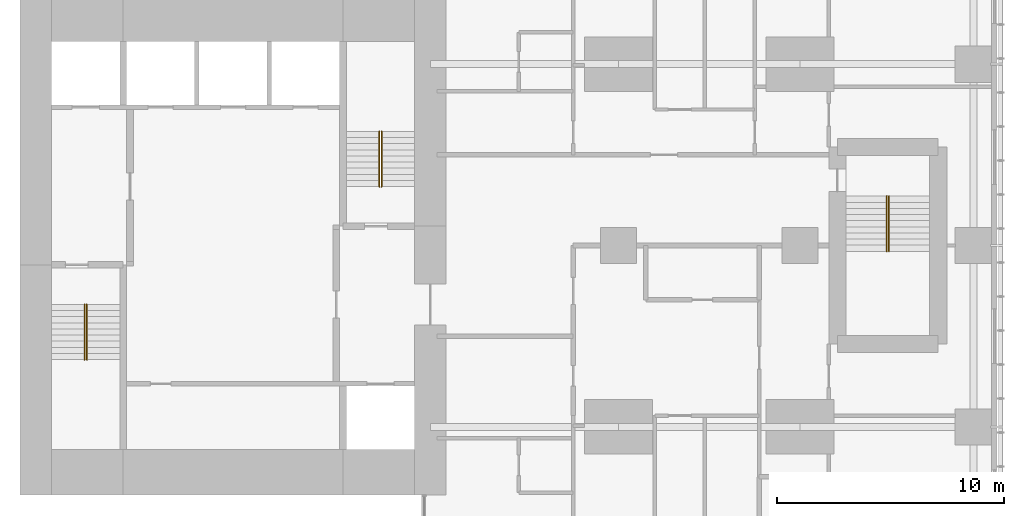
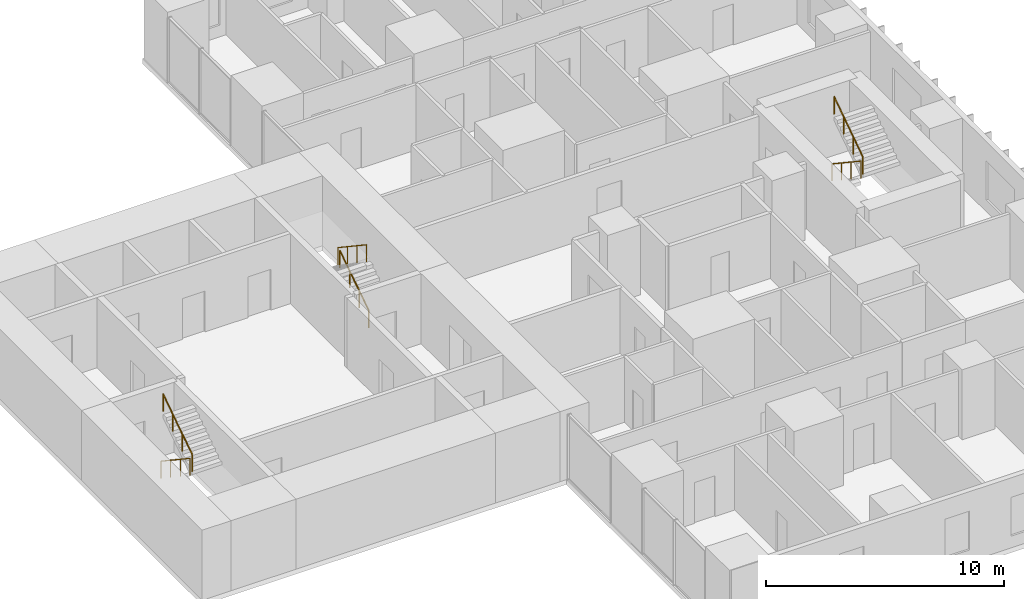
# One storey, part 12 of 12: 6 railings.
"""IFC4 building model written with IfcOpenShell, lengths in metres."""

import ifcopenshell
import ifcopenshell.guid

model = None  # the IFC model being written
_history = None  # IfcOwnerHistory: only IFC2X3 demands one
_inside = {}  # id of a spatial element -> (the spatial element, [elements in it])
_under = {}  # id of a project, library or spatial element -> (it, [spatial elements below it])
_declared = {}  # id of a project -> (the project, [libraries it declares])
_typed = {}  # id of a type object -> (the type object, [elements of that type])
_made_of = {}  # id of a material, layer set ... -> (it, [elements and type objects made of it])


def new_model(schema):
    """Start an empty IFC model of exactly this schema.

    Asked for "IFC4X3", IfcOpenShell would pick the latest addendum, in which some entities
    have other attributes; the version numbers below select the first issue.
    IFC2X3 requires an IfcOwnerHistory on every rooted entity: one is made here for all.
    """
    global model, _history
    if schema == "IFC4X3":
        model = ifcopenshell.file(schema_version=(4, 3, 0, 0))
    else:
        model = ifcopenshell.file(schema=schema)
    _inside.clear()
    _under.clear()
    _declared.clear()
    _typed.clear()
    _made_of.clear()
    _history = None
    if model.schema == "IFC2X3":
        org = make("IfcOrganization", Name="unknown")
        user = make(
            "IfcPersonAndOrganization",
            ThePerson=make("IfcPerson", FamilyName="unknown"),
            TheOrganization=org,
        )
        app = make(
            "IfcApplication",
            ApplicationDeveloper=org,
            Version="unknown",
            ApplicationFullName="unknown",
            ApplicationIdentifier="unknown",
        )
        _history = make(
            "IfcOwnerHistory",
            OwningUser=user,
            OwningApplication=app,
            ChangeAction="ADDED",
            CreationDate=0,
        )
    return model


def make(cls, **values):
    """One entity of the class cls with the attributes given. An attribute that is None is left unset."""
    return model.create_entity(
        cls, **{name: value for name, value in values.items() if value is not None}
    )


def rooted(cls, **values):
    """An entity with a GlobalId (a new one), such as an element, a storey or a relation."""
    return make(cls, GlobalId=ifcopenshell.guid.new(), OwnerHistory=_history, **values)


def si_unit(unit_type, name, prefix=None):
    """IfcSIUnit, for example si_unit("LENGTHUNIT", "METRE", prefix="MILLI")."""
    return make("IfcSIUnit", UnitType=unit_type, Prefix=prefix, Name=name)


def assignment(units):
    """IfcUnitAssignment: the units of a project."""
    return None if units is None else make("IfcUnitAssignment", Units=units)


def point(xyz):
    """IfcCartesianPoint."""
    return None if xyz is None else make("IfcCartesianPoint", Coordinates=xyz)


def direction(xyz):
    """IfcDirection."""
    return None if xyz is None else make("IfcDirection", DirectionRatios=xyz)


def frame(location, z_axis=None, x_axis=None):
    """IfcAxis2Placement3D, a coordinate frame: its origin and axes. An axis left out is left unset."""
    return make(
        "IfcAxis2Placement3D",
        Location=point(location),
        Axis=direction(z_axis),
        RefDirection=direction(x_axis),
    )


def frame_2d(location, x_axis=None):
    """IfcAxis2Placement2D, a coordinate frame in the plane: its origin and x axis."""
    return make(
        "IfcAxis2Placement2D", Location=point(location), RefDirection=direction(x_axis)
    )


def origin():
    """The frame at (0, 0, 0) with its axes left unset."""
    return frame((0.0, 0.0, 0.0))


def origin_2d():
    """The frame at (0, 0) in the plane with its x axis left unset."""
    return frame_2d((0.0, 0.0))


def place(relative_to, where):
    """IfcLocalPlacement: puts the frame where relative to a parent placement (None: the world)."""
    return make(
        "IfcLocalPlacement", PlacementRelTo=relative_to, RelativePlacement=where
    )


def context(
    kind, dimensions, precision=None, world=None, true_north=None, identifier=None
):
    """IfcGeometricRepresentationContext, for example the 3D "Model" context."""
    return make(
        "IfcGeometricRepresentationContext",
        ContextIdentifier=identifier,
        ContextType=kind,
        CoordinateSpaceDimension=dimensions,
        Precision=precision,
        WorldCoordinateSystem=world,
        TrueNorth=true_north,
    )


def subcontext(parent, identifier, kind, view, scale=None):
    """IfcGeometricRepresentationSubContext, for example "Body" below "Model"."""
    return make(
        "IfcGeometricRepresentationSubContext",
        ContextIdentifier=identifier,
        ContextType=kind,
        ParentContext=parent,
        TargetScale=scale,
        TargetView=view,
    )


def project(units=None, contexts=None):
    """IfcProject with its units and contexts."""
    return rooted(
        "IfcProject",
        Name="project",
        RepresentationContexts=contexts,
        UnitsInContext=assignment(units),
    )


def spatial(cls, under=None, at=None, **own):
    """A site, building, storey or space (cls), placed at a placement, below another one or the project."""
    s = rooted(cls, ObjectPlacement=at, **own)
    if under is not None:
        _under.setdefault(under.id(), (under, []))[1].append(s)
    return s


def profile(cls, at=None, kind="AREA", **sizes):
    """A parametric profile (cls). Its sizes go by their IFC names, for example OverallWidth=200.0."""
    return make(cls, ProfileType=kind, Position=at, **sizes)


def circle(**sizes):
    """IfcCircleProfileDef."""
    return profile("IfcCircleProfileDef", **sizes)


def extrude(swept, where, along, depth):
    """IfcExtrudedAreaSolid: the profile swept, set in the frame where, extruded along a direction by depth."""
    return make(
        "IfcExtrudedAreaSolid",
        SweptArea=swept,
        Position=where,
        ExtrudedDirection=direction(along),
        Depth=depth,
    )


def shape(context_of_items, identifier, shape_type, items):
    """IfcShapeRepresentation: the items that make up one representation, for example the "Body"."""
    return make(
        "IfcShapeRepresentation",
        ContextOfItems=context_of_items,
        RepresentationIdentifier=identifier,
        RepresentationType=shape_type,
        Items=items,
    )


def material(Name=None, Category=None):
    """IfcMaterial."""
    return make("IfcMaterial", Name=Name, Category=Category)


def made_of(thing, what):
    """Note that an element or type object is made of a material, layer set ...; save() writes the relation."""
    if what is not None:
        _made_of.setdefault(what.id(), (what, []))[1].append(thing)
    return thing


def type_object(cls, material=None, **own):
    """A type object (cls), such as IfcWallType, which elements share."""
    return made_of(rooted(cls, **own), material)


def element(
    cls,
    number,
    at=None,
    inside=None,
    cuts=None,
    type_object=None,
    material=None,
    context=None,
    identifier="Body",
    shape_type=None,
    held_by="IfcProductDefinitionShape",
    body=None,
    shapes=None,
    **own,
):
    """One element of the class cls, such as IfcWall. Its Tag is "e" and its number.

    at: its placement. inside: the storey or other place that contains it. cuts: it is an
    opening in that element (IfcRelVoidsElement). A single representation is given by context,
    identifier, shape_type and body (its items); several are given by shapes. held_by: the class
    of the entity that holds the representations. save() writes the other relations.
    """
    e = rooted(cls, Tag="e%d" % number, ObjectPlacement=at, **own)
    if body is not None:
        shapes = [shape(context, identifier, shape_type, body)]
    if shapes is not None:
        e.Representation = make(held_by, Representations=shapes)
    if inside is not None:
        _inside.setdefault(inside.id(), (inside, []))[1].append(e)
    if cuts is not None:
        rooted(
            "IfcRelVoidsElement", RelatingBuildingElement=cuts, RelatedOpeningElement=e
        )
    if type_object is not None:
        _typed.setdefault(type_object.id(), (type_object, []))[1].append(e)
    return made_of(e, material)


def aggregate(whole, parts):
    """IfcRelAggregates: a whole, such as a stair, and the parts it consists of."""
    return rooted("IfcRelAggregates", RelatingObject=whole, RelatedObjects=parts)


def save(model, path):
    """Write the relations noted so far, then the file.

    IfcRelAggregates (storeys below a building ...), IfcRelContainedInSpatialStructure (elements
    in a storey), IfcRelDefinesByType, IfcRelAssociatesMaterial and IfcRelDeclares: one each for
    every whole, place, type object, material and project.
    """
    for whole, parts in _under.values():
        aggregate(whole, parts)
    for where, things in _inside.values():
        rooted(
            "IfcRelContainedInSpatialStructure",
            RelatedElements=things,
            RelatingStructure=where,
        )
    for kind, things in _typed.values():
        rooted("IfcRelDefinesByType", RelatedObjects=things, RelatingType=kind)
    for what, things in _made_of.values():
        rooted("IfcRelAssociatesMaterial", RelatedObjects=things, RelatingMaterial=what)
    for by, libraries in _declared.values():
        rooted("IfcRelDeclares", RelatingContext=by, RelatedDefinitions=libraries)
    model.write(path)


model = new_model("IFC4")

# Units and contexts
model_context = context("Model", 3, precision=1e-05, world=origin(), true_north=direction((0.0, 1.0)))
body_context = subcontext(model_context, "Body", "Model", "MODEL_VIEW")
ifc_project = project(units=[si_unit("LENGTHUNIT", "METRE"), si_unit("AREAUNIT", "SQUARE_METRE"), si_unit("VOLUMEUNIT", "CUBIC_METRE"), si_unit("PLANEANGLEUNIT", "RADIAN"), si_unit("MASSUNIT", "GRAM", prefix="KILO")], contexts=[model_context])

# Site, building, storey
site_placement = place(None, origin())
site = spatial("IfcSite", under=ifc_project, at=site_placement, CompositionType="ELEMENT")
building_placement = place(site_placement, origin())
building = spatial("IfcBuilding", under=site, at=building_placement, Name="Cleftline Residences", CompositionType="ELEMENT")
storey_placement = place(building_placement, frame((0.0, 0.0, 266.39990234375)))
storey = spatial("IfcBuildingStorey", under=building, at=storey_placement, Name="L70", CompositionType="ELEMENT", Elevation=266.39990234375)

# Railings
ifc_material = material(Name="Stainless steel", Category="steel")
railing_type = type_object("IfcRailingType", Name="HANDRAIL 900", PredefinedType="HANDRAIL", material=ifc_material)
railing_1_placement = place(storey_placement, frame((26.449951171875, 21.39990234375, 0.18017578125)))
element("IfcRailing", 1, at=railing_1_placement, inside=storey, type_object=railing_type, Name="Stair handrail", PredefinedType="HANDRAIL", context=body_context, shape_type="SweptSolid", body=[
    extrude(circle(Radius=0.02392578125, at=origin_2d()), frame((0.0, 0.0, 0.8759765625), z_axis=(0.0, -0.832063155534, 0.554680903946), x_axis=(1.0, 0.0, 0.0)), (0.0, 0.0, 1.0), 2.92041015625),
    extrude(circle(Radius=0.02099609375, at=origin_2d()), origin(), (0.0, 0.0, 1.0), 0.851806640625),
    extrude(circle(Radius=0.02099609375, at=origin_2d()), frame((0.0, -0.81005859375, 0.5400390625)), (0.0, 0.0, 1.0), 0.851806640625),
    extrude(circle(Radius=0.02099609375, at=origin_2d()), frame((0.0, -1.619873046875, 1.079833984375)), (0.0, 0.0, 1.0), 0.851806640625),
    extrude(circle(Radius=0.02099609375, at=origin_2d()), frame((0.0, -2.429931640625, 1.619873046875)), (0.0, 0.0, 1.0), 0.851806640625),
])
railing_2_placement = place(storey_placement, frame((26.550048828125, 18.969970703125, 1.97998046875)))
element("IfcRailing", 2, at=railing_2_placement, inside=storey, type_object=railing_type, Name="Stair handrail", PredefinedType="HANDRAIL", context=body_context, shape_type="SweptSolid", body=[
    extrude(circle(Radius=0.02392578125, at=origin_2d()), frame((0.0, 0.0, 0.8759765625), z_axis=(0.0, 0.832024571796, 0.554738778101), x_axis=(-1.0, 0.0, 0.0)), (0.0, 0.0, 1.0), 2.92041015625),
    extrude(circle(Radius=0.02099609375, at=origin_2d()), origin(), (0.0, 0.0, 1.0), 0.851806640625),
    extrude(circle(Radius=0.02099609375, at=origin_2d()), frame((0.0, 0.81005859375, 0.5400390625)), (0.0, 0.0, 1.0), 0.851806640625),
    extrude(circle(Radius=0.02099609375, at=origin_2d()), frame((0.0, 1.619873046875, 1.080078125)), (0.0, 0.0, 1.0), 0.851806640625),
    extrude(circle(Radius=0.02099609375, at=origin_2d()), frame((0.0, 2.429931640625, 1.6201171875)), (0.0, 0.0, 1.0), 0.851806640625),
])
railing_3_placement = place(storey_placement, frame((39.550048828125, 26.60009765625, 0.18017578125)))
element("IfcRailing", 3, at=railing_3_placement, inside=storey, type_object=railing_type, Name="Stair handrail", PredefinedType="HANDRAIL", context=body_context, shape_type="SweptSolid", body=[
    extrude(circle(Radius=0.02392578125, at=origin_2d()), frame((0.0, 0.0, 0.8759765625), z_axis=(0.0, 0.832063155534, 0.554680903946), x_axis=(-1.0, 0.0, 0.0)), (0.0, 0.0, 1.0), 2.92041015625),
    extrude(circle(Radius=0.02099609375, at=origin_2d()), origin(), (0.0, 0.0, 1.0), 0.851806640625),
    extrude(circle(Radius=0.02099609375, at=origin_2d()), frame((0.0, 0.81005859375, 0.5400390625)), (0.0, 0.0, 1.0), 0.851806640625),
    extrude(circle(Radius=0.02099609375, at=origin_2d()), frame((0.0, 1.619873046875, 1.079833984375)), (0.0, 0.0, 1.0), 0.851806640625),
    extrude(circle(Radius=0.02099609375, at=origin_2d()), frame((0.0, 2.429931640625, 1.619873046875)), (0.0, 0.0, 1.0), 0.851806640625),
])
railing_4_placement = place(storey_placement, frame((39.449951171875, 29.030029296875, 1.97998046875)))
element("IfcRailing", 4, at=railing_4_placement, inside=storey, type_object=railing_type, Name="Stair handrail", PredefinedType="HANDRAIL", context=body_context, shape_type="SweptSolid", body=[
    extrude(circle(Radius=0.02392578125, at=origin_2d()), frame((0.0, 0.0, 0.8759765625), z_axis=(0.0, -0.832024571796, 0.554738778101), x_axis=(1.0, 0.0, 0.0)), (0.0, 0.0, 1.0), 2.92041015625),
    extrude(circle(Radius=0.02099609375, at=origin_2d()), origin(), (0.0, 0.0, 1.0), 0.851806640625),
    extrude(circle(Radius=0.02099609375, at=origin_2d()), frame((0.0, -0.81005859375, 0.5400390625)), (0.0, 0.0, 1.0), 0.851806640625),
    extrude(circle(Radius=0.02099609375, at=origin_2d()), frame((0.0, -1.619873046875, 1.080078125)), (0.0, 0.0, 1.0), 0.851806640625),
    extrude(circle(Radius=0.02099609375, at=origin_2d()), frame((0.0, -2.429931640625, 1.6201171875)), (0.0, 0.0, 1.0), 0.851806640625),
])
railing_5_placement = place(storey_placement, frame((61.824951171875, 26.175048828125, 0.18017578125)))
element("IfcRailing", 5, at=railing_5_placement, inside=storey, type_object=railing_type, Name="Stair handrail", PredefinedType="HANDRAIL", context=body_context, shape_type="SweptSolid", body=[
    extrude(circle(Radius=0.02392578125, at=origin_2d()), frame((0.0, 0.0, 0.8759765625), z_axis=(0.0, -0.832063155534, 0.554680903946), x_axis=(1.0, 0.0, 0.0)), (0.0, 0.0, 1.0), 2.92041015625),
    extrude(circle(Radius=0.02099609375, at=origin_2d()), origin(), (0.0, 0.0, 1.0), 0.851806640625),
    extrude(circle(Radius=0.02099609375, at=origin_2d()), frame((0.0, -0.81005859375, 0.5400390625)), (0.0, 0.0, 1.0), 0.851806640625),
    extrude(circle(Radius=0.02099609375, at=origin_2d()), frame((0.0, -1.619873046875, 1.079833984375)), (0.0, 0.0, 1.0), 0.851806640625),
    extrude(circle(Radius=0.02099609375, at=origin_2d()), frame((0.0, -2.429931640625, 1.619873046875)), (0.0, 0.0, 1.0), 0.851806640625),
])
railing_6_placement = place(storey_placement, frame((61.925048828125, 23.7451171875, 1.97998046875)))
element("IfcRailing", 6, at=railing_6_placement, inside=storey, type_object=railing_type, Name="Stair handrail", PredefinedType="HANDRAIL", context=body_context, shape_type="SweptSolid", body=[
    extrude(circle(Radius=0.02392578125, at=origin_2d()), frame((0.0, 0.0, 0.8759765625), z_axis=(0.0, 0.832024571796, 0.554738778101), x_axis=(-1.0, 0.0, 0.0)), (0.0, 0.0, 1.0), 2.92041015625),
    extrude(circle(Radius=0.02099609375, at=origin_2d()), origin(), (0.0, 0.0, 1.0), 0.851806640625),
    extrude(circle(Radius=0.02099609375, at=origin_2d()), frame((0.0, 0.81005859375, 0.5400390625)), (0.0, 0.0, 1.0), 0.851806640625),
    extrude(circle(Radius=0.02099609375, at=origin_2d()), frame((0.0, 1.619873046875, 1.080078125)), (0.0, 0.0, 1.0), 0.851806640625),
    extrude(circle(Radius=0.02099609375, at=origin_2d()), frame((0.0, 2.429931640625, 1.6201171875)), (0.0, 0.0, 1.0), 0.851806640625),
])

save(model, "model.ifc")
